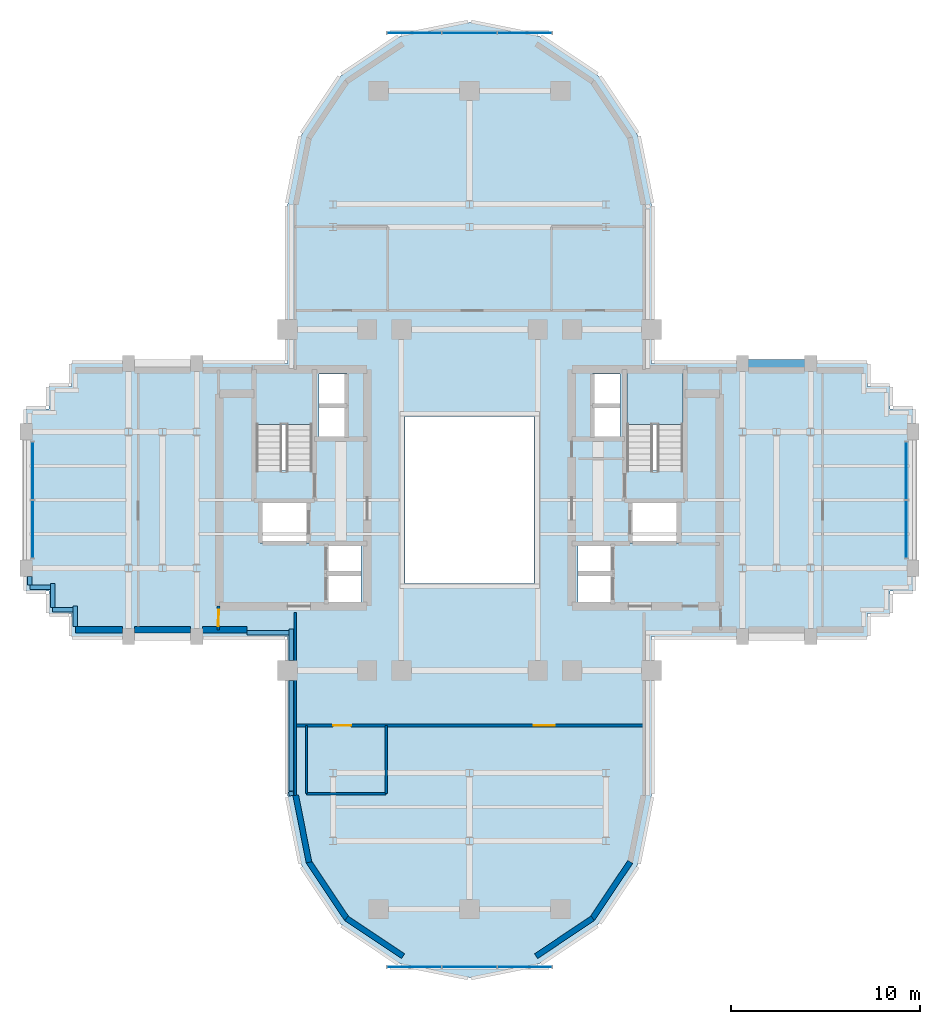
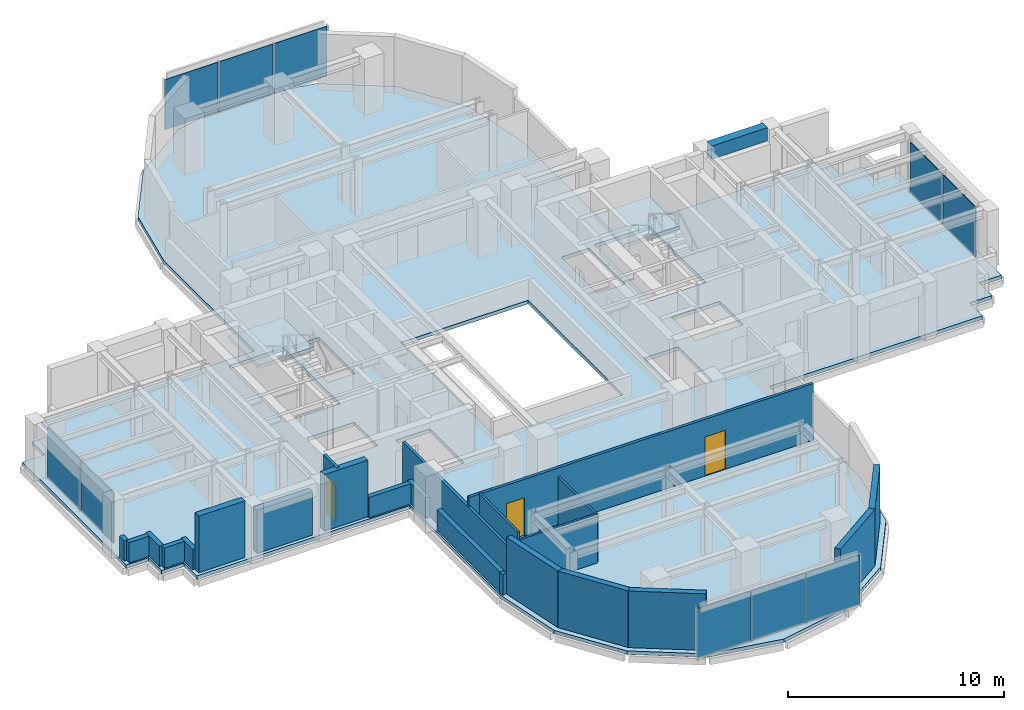
# One storey, part 7 of 13: 23 walls, 10 plates, 3 doors, 3 slabs, 1 beam, 3 openings, 6 elements without a shape of their own.
"""IFC4 building model written with IfcOpenShell, lengths in metres."""

from ifc_helpers import new_model, si_unit, direction, frame, frame_2d, origin, origin_2d, place, context, subcontext, project, spatial, polyline, rectangle, outline, extrude, source, transform, mapped, material, layer, layer_set, material_profile, profile_set, type_object, element, fill, aggregate, save


model = new_model("IFC4")

# Units and contexts
model_context = context("Model", 3, precision=1e-05, world=origin(), true_north=direction((0.0, 1.0)))
body_context = subcontext(model_context, "Body", "Model", "MODEL_VIEW")
ifc_project = project(units=[si_unit("LENGTHUNIT", "METRE"), si_unit("AREAUNIT", "SQUARE_METRE"), si_unit("VOLUMEUNIT", "CUBIC_METRE"), si_unit("PLANEANGLEUNIT", "RADIAN"), si_unit("MASSUNIT", "GRAM", prefix="KILO")], contexts=[model_context])

# Site, building, storey
site_placement = place(None, origin())
site = spatial("IfcSite", under=ifc_project, at=site_placement, CompositionType="ELEMENT")
building_placement = place(site_placement, origin())
building = spatial("IfcBuilding", under=site, at=building_placement, Name="Keilestroom Media Tower", CompositionType="ELEMENT")
storey_placement = place(building_placement, frame((0.0, 0.0, 138.0)))
storey = spatial("IfcBuildingStorey", under=building, at=storey_placement, Name="L37", CompositionType="ELEMENT", Elevation=138.0)

# Beam
ifc_material_1 = material(Name="Precast concrete C40/50", Category="concrete")
ifc_material_profile = material_profile(ifc_material_1, rectangle(XDim=0.449951171875, YDim=0.75, at=origin_2d()), Name="PC 450x750")
ifc_profile_set = profile_set([ifc_material_profile], Name="Precast concrete C40/50")
beam_type = type_object("IfcBeamType", Name="Perimeter-Spandrel-Beam-PC-450x750", PredefinedType="SPANDREL", material=ifc_profile_set)
shared_shape_1 = source(origin(), body_context, "Body", "SweptSolid", [
    extrude(rectangle(XDim=0.449951171875, YDim=0.75, at=origin_2d()), origin(), (0.0, 0.0, 1.0), 2.989990234375),
])
beam_placement = place(storey_placement, frame((14.705078125, 7.199951171875, 2.824951171875), z_axis=(1.0, 0.0, 0.0), x_axis=(0.0, 1.0, 0.0)))
element("IfcBeam", 1, at=beam_placement, inside=storey, type_object=beam_type, Name="L37 Beam SPB-1 BM-L37-EW-027", PredefinedType="SPANDREL", context=body_context, shape_type="MappedRepresentation", body=[
    mapped(shared_shape_1, transform((0.0, 0.0, 0.0), x_axis=(1.0, 0.0, 0.0), y_axis=(0.0, 1.0, 0.0), z_axis=(0.0, 0.0, 1.0), scale=1.0)),
])

# Slab
ifc_material_2 = material(Name="Concrete C50/60", Category="concrete")
ifc_layer_1 = layer(ifc_material_2, 0.199951171875)
ifc_layer_set_1 = layer_set([ifc_layer_1], Name="Concrete C50/60")
slab_type_1 = type_object("IfcSlabType", Name="Composite-Floor-Slab-200", PredefinedType="FLOOR", material=ifc_layer_set_1)
slab_1_placement = place(storey_placement, frame((0.0, 0.0, -0.199951171875)))
element("IfcSlab", 2, at=slab_1_placement, inside=storey, type_object=slab_type_1, Name="L37 Structural Composite Floor Slab", PredefinedType="FLOOR", context=body_context, shape_type="SweptSolid", body=[
    extrude(outline(polyline([(23.39990234375, -4.800048828125), (23.39990234375, 4.800048828125), (22.199951171875, 4.800048828125), (22.199951171875, 6.0), (21.0, 6.0), (21.0, 7.199951171875), (9.60009765625, 7.199951171875), (9.60009765625, 9.60009765625), (9.60009765625, 15.60009765625), (8.869140625, 19.273681640625), (6.7880859375, 22.38818359375), (3.673828125, 24.46923828125), (0.0, 25.199951171875), (-3.673828125, 24.46923828125), (-6.7880859375, 22.38818359375), (-8.869140625, 19.273681640625), (-9.60009765625, 15.60009765625), (-9.60009765625, 9.60009765625), (-9.60009765625, 7.199951171875), (-21.0, 7.199951171875), (-21.0, 6.0), (-22.199951171875, 6.0), (-22.199951171875, 4.800048828125), (-23.39990234375, 4.800048828125), (-23.39990234375, -4.800048828125), (-22.199951171875, -4.800048828125), (-22.199951171875, -6.0), (-21.0, -6.0), (-21.0, -7.199951171875), (-9.60009765625, -7.199951171875), (-9.60009765625, -9.60009765625), (-9.60009765625, -15.60009765625), (-8.869140625, -19.273681640625), (-6.7880859375, -22.38818359375), (-3.673828125, -24.46923828125), (0.0, -25.199951171875), (3.673828125, -24.46923828125), (6.7880859375, -22.38818359375), (8.869140625, -19.273681640625), (9.60009765625, -15.60009765625), (9.60009765625, -9.60009765625), (9.60009765625, -7.199951171875), (21.0, -7.199951171875), (21.0, -6.0), (22.199951171875, -6.0), (22.199951171875, -4.800048828125), (23.39990234375, -4.800048828125)]), holes=[polyline([(-11.260009765625, 1.544921875), (-11.260009765625, 6.760009765625), (-8.300048828125, 6.760009765625), (-8.300048828125, 1.544921875), (-11.260009765625, 1.544921875)]), polyline([(-11.050048828125, -2.280029296875), (-11.050048828125, -0.10009765625), (-8.47998046875, -0.10009765625), (-8.47998046875, -2.280029296875), (-11.050048828125, -2.280029296875)]), polyline([(-7.949951171875, 3.300048828125), (-7.949951171875, 6.64990234375), (-6.47998046875, 6.64990234375), (-6.47998046875, 3.300048828125), (-7.949951171875, 3.300048828125)]), polyline([(-7.56005859375, -2.320068359375), (-5.719970703125, -2.320068359375), (-5.719970703125, -5.47998046875), (-7.56005859375, -5.47998046875), (-7.56005859375, -2.320068359375)]), polyline([(3.39990234375, -4.39990234375), (-3.39990234375, -4.39990234375), (-3.39990234375, 4.39990234375), (3.39990234375, 4.39990234375), (3.39990234375, -4.39990234375)]), polyline([(7.56005859375, -2.320068359375), (7.56005859375, -5.47998046875), (5.719970703125, -5.47998046875), (5.719970703125, -2.320068359375), (7.56005859375, -2.320068359375)]), polyline([(6.47998046875, 3.300048828125), (6.47998046875, 6.64990234375), (7.949951171875, 6.64990234375), (7.949951171875, 3.300048828125), (6.47998046875, 3.300048828125)]), polyline([(8.300048828125, 1.544921875), (8.300048828125, 6.760009765625), (11.260009765625, 6.760009765625), (11.260009765625, 1.544921875), (8.300048828125, 1.544921875)]), polyline([(8.47998046875, -2.280029296875), (8.47998046875, -0.10009765625), (11.050048828125, -0.10009765625), (11.050048828125, -2.280029296875), (8.47998046875, -2.280029296875)])]), origin(), (0.0, 0.0, 1.0), 0.199951171875),
])

# Stair, slab
ifc_material_3 = material(Name="Concrete C45/55", Category="concrete")
stair_type = type_object("IfcStairType", Name="Enclosed-Dog-Leg-Stair-ST-CORE", PredefinedType="HALF_TURN_STAIR", material=ifc_material_3)
stair_1_placement = place(storey_placement, origin())
stair_1 = element("IfcStair", 3, at=stair_1_placement, inside=storey, type_object=stair_type, Name="L37 West Core Escape Stair ST-1", PredefinedType="HALF_TURN_STAIR")
ifc_layer_2 = layer(ifc_material_3, 0.199951171875)
ifc_layer_set_2 = layer_set([ifc_layer_2], Name="Concrete C45/55")
slab_type_2 = type_object("IfcSlabType", Name="Stair-Intermediate-And-Top-Landing-Slab-200", PredefinedType="LANDING", material=ifc_layer_set_2)
slab_2_placement = place(storey_placement, frame((0.0, 0.0, 1.5)))
slab_2 = element("IfcSlab", 4, at=slab_2_placement, type_object=slab_type_2, Name="ST-1 landing 1", PredefinedType="LANDING", context=body_context, shape_type="SweptSolid", body=[
    extrude(outline(polyline([(-8.300048828125, 3.99609375), (-8.300048828125, 6.760009765625), (-11.260009765625, 6.760009765625), (-11.260009765625, 3.99609375), (-8.300048828125, 3.99609375)])), origin(), (0.0, 0.0, 1.0), 0.199951171875),
])
aggregate(stair_1, [slab_2])

stair_2_placement = place(storey_placement, origin())
stair_2 = element("IfcStair", 5, at=stair_2_placement, inside=storey, type_object=stair_type, Name="L37 East Core Escape Stair ST-2", PredefinedType="HALF_TURN_STAIR")
slab_3_placement = place(storey_placement, frame((0.0, 0.0, 1.5)))
slab_3 = element("IfcSlab", 6, at=slab_3_placement, type_object=slab_type_2, Name="ST-2 landing 1", PredefinedType="LANDING", context=body_context, shape_type="SweptSolid", body=[
    extrude(outline(polyline([(11.260009765625, 3.99609375), (11.260009765625, 6.760009765625), (8.300048828125, 6.760009765625), (8.300048828125, 3.99609375), (11.260009765625, 3.99609375)])), origin(), (0.0, 0.0, 1.0), 0.199951171875),
])
aggregate(stair_2, [slab_3])

# Curtain wall, plates
ifc_material_4 = material(Name="Anodised Aluminium Alloy", Category="aluminium")
curtain_wall_type_1 = type_object("IfcCurtainWallType", Name="Unitised-Curtain-Wall-CW-6", PredefinedType="NOTDEFINED", material=ifc_material_4)
curtain_wall_1_placement = place(storey_placement, origin())
curtain_wall_1 = element("IfcCurtainWall", 7, at=curtain_wall_1_placement, inside=storey, type_object=curtain_wall_type_1, Name="L37 Curtain Wall CW-6 CW-L37-LN-1", PredefinedType="NOTDEFINED")
ifc_material_5 = material(Name="Curved-Facet Triple Glazed Unit", Category="glass")
ifc_layer_3 = layer(ifc_material_5, 0.033935546875)
ifc_layer_set_3 = layer_set([ifc_layer_3], Name="Curved-Facet Triple Glazed Unit")
plate_type_1 = type_object("IfcPlateType", Name="Insulated-Curtain-Wall-Glazing-Panel-CW-6", PredefinedType="CURTAIN_PANEL", material=ifc_layer_set_3)
shared_shape_2 = source(origin(), body_context, "Body", "SweptSolid", [
    extrude(rectangle(XDim=2.84375, YDim=0.033935546875, at=origin_2d()), origin(), (0.0, 0.0, 1.0), 2.833984375),
])
plate_1_placement = place(storey_placement, frame((-2.9169921875, 24.64990234375, 0.072998046875), z_axis=(0.0, 0.0, 1.0), x_axis=(1.0, 0.0, 0.0)))
plate_1 = element("IfcPlate", 8, at=plate_1_placement, type_object=plate_type_1, Name="CW-6 Unitised Glazing 00", PredefinedType="CURTAIN_PANEL", context=body_context, shape_type="MappedRepresentation", body=[
    mapped(shared_shape_2, transform((0.0, 0.0, 0.0), x_axis=(1.0, 0.0, 0.0), y_axis=(0.0, 1.0, 0.0), z_axis=(0.0, 0.0, 1.0), scale=1.0)),
])
plate_2_placement = place(storey_placement, frame((2.9169921875, 24.64990234375, 0.072998046875), z_axis=(0.0, 0.0, 1.0), x_axis=(1.0, 0.0, 0.0)))
plate_2 = element("IfcPlate", 9, at=plate_2_placement, type_object=plate_type_1, Name="CW-6 Unitised Glazing 02", PredefinedType="CURTAIN_PANEL", context=body_context, shape_type="MappedRepresentation", body=[
    mapped(shared_shape_2, transform((0.0, 0.0, 0.0), x_axis=(1.0, 0.0, 0.0), y_axis=(0.0, 1.0, 0.0), z_axis=(0.0, 0.0, 1.0), scale=1.0)),
])

curtain_wall_2_placement = place(storey_placement, origin())
curtain_wall_2 = element("IfcCurtainWall", 10, at=curtain_wall_2_placement, inside=storey, type_object=curtain_wall_type_1, Name="L37 Curtain Wall CW-6 CW-L37-LS-1", PredefinedType="NOTDEFINED")
plate_3_placement = place(storey_placement, frame((-2.9169921875, -24.64990234375, 0.072998046875), z_axis=(0.0, 0.0, 1.0), x_axis=(1.0, 0.0, 0.0)))
plate_3 = element("IfcPlate", 11, at=plate_3_placement, type_object=plate_type_1, Name="CW-6 Unitised Glazing 00", PredefinedType="CURTAIN_PANEL", context=body_context, shape_type="MappedRepresentation", body=[
    mapped(shared_shape_2, transform((0.0, 0.0, 0.0), x_axis=(1.0, 0.0, 0.0), y_axis=(0.0, 1.0, 0.0), z_axis=(0.0, 0.0, 1.0), scale=1.0)),
])
plate_4_placement = place(storey_placement, frame((2.9169921875, -24.64990234375, 0.072998046875), z_axis=(0.0, 0.0, 1.0), x_axis=(1.0, 0.0, 0.0)))
plate_4 = element("IfcPlate", 12, at=plate_4_placement, type_object=plate_type_1, Name="CW-6 Unitised Glazing 02", PredefinedType="CURTAIN_PANEL", context=body_context, shape_type="MappedRepresentation", body=[
    mapped(shared_shape_2, transform((0.0, 0.0, 0.0), x_axis=(1.0, 0.0, 0.0), y_axis=(0.0, 1.0, 0.0), z_axis=(0.0, 0.0, 1.0), scale=1.0)),
])

# Plate
shared_shape_3 = source(origin(), body_context, "Body", "SweptSolid", [
    extrude(rectangle(XDim=2.876220703125, YDim=0.033935546875, at=origin_2d()), origin(), (0.0, 0.0, 1.0), 2.833984375),
])
plate_5_placement = place(storey_placement, frame((0.0, 24.64990234375, 0.072998046875), z_axis=(0.0, 0.0, 1.0), x_axis=(1.0, 0.0, 0.0)))
plate_5 = element("IfcPlate", 13, at=plate_5_placement, type_object=plate_type_1, Name="CW-6 Unitised Glazing 01", PredefinedType="CURTAIN_PANEL", context=body_context, shape_type="MappedRepresentation", body=[
    mapped(shared_shape_3, transform((0.0, 0.0, 0.0), x_axis=(1.0, 0.0, 0.0), y_axis=(0.0, 1.0, 0.0), z_axis=(0.0, 0.0, 1.0), scale=1.0)),
])

aggregate(curtain_wall_1, [plate_1, plate_5, plate_2])

plate_6_placement = place(storey_placement, frame((0.0, -24.64990234375, 0.072998046875), z_axis=(0.0, 0.0, 1.0), x_axis=(1.0, 0.0, 0.0)))
plate_6 = element("IfcPlate", 14, at=plate_6_placement, type_object=plate_type_1, Name="CW-6 Unitised Glazing 01", PredefinedType="CURTAIN_PANEL", context=body_context, shape_type="MappedRepresentation", body=[
    mapped(shared_shape_3, transform((0.0, 0.0, 0.0), x_axis=(1.0, 0.0, 0.0), y_axis=(0.0, 1.0, 0.0), z_axis=(0.0, 0.0, 1.0), scale=1.0)),
])

aggregate(curtain_wall_2, [plate_3, plate_6, plate_4])

# Curtain wall, plates
curtain_wall_type_2 = type_object("IfcCurtainWallType", Name="Unitised-Curtain-Wall-CW-2", PredefinedType="NOTDEFINED", material=ifc_material_4)
curtain_wall_3_placement = place(storey_placement, origin())
curtain_wall_3 = element("IfcCurtainWall", 15, at=curtain_wall_3_placement, inside=storey, type_object=curtain_wall_type_2, Name="L37 Curtain Wall CW-2 CW-L37-W-1", PredefinedType="NOTDEFINED")
ifc_material_6 = material(Name="Double Glazed Low-E Unit", Category="glass")
ifc_layer_4 = layer(ifc_material_6, 0.0419921875)
ifc_layer_set_4 = layer_set([ifc_layer_4], Name="Double Glazed Low-E Unit")
plate_type_2 = type_object("IfcPlateType", Name="Insulated-Curtain-Wall-Glazing-Panel-CW-2", PredefinedType="CURTAIN_PANEL", material=ifc_layer_set_4)
shared_shape_4 = source(origin(), body_context, "Body", "SweptSolid", [
    extrude(rectangle(XDim=3.01806640625, YDim=0.0419921875, at=origin_2d()), origin(), (0.0, 0.0, 1.0), 2.833984375),
])
plate_7_placement = place(storey_placement, frame((-23.050048828125, -1.5400390625, 0.072998046875), z_axis=(0.0, 0.0, 1.0), x_axis=(0.0, 1.0, 0.0)))
plate_7 = element("IfcPlate", 16, at=plate_7_placement, type_object=plate_type_2, Name="CW-2 Unitised Glazing 00", PredefinedType="CURTAIN_PANEL", context=body_context, shape_type="MappedRepresentation", body=[
    mapped(shared_shape_4, transform((0.0, 0.0, 0.0), x_axis=(1.0, 0.0, 0.0), y_axis=(0.0, 1.0, 0.0), z_axis=(0.0, 0.0, 1.0), scale=1.0)),
])
plate_8_placement = place(storey_placement, frame((-23.050048828125, 1.5400390625, 0.072998046875), z_axis=(0.0, 0.0, 1.0), x_axis=(0.0, 1.0, 0.0)))
plate_8 = element("IfcPlate", 17, at=plate_8_placement, type_object=plate_type_2, Name="CW-2 Unitised Glazing 01", PredefinedType="CURTAIN_PANEL", context=body_context, shape_type="MappedRepresentation", body=[
    mapped(shared_shape_4, transform((0.0, 0.0, 0.0), x_axis=(1.0, 0.0, 0.0), y_axis=(0.0, 1.0, 0.0), z_axis=(0.0, 0.0, 1.0), scale=1.0)),
])
aggregate(curtain_wall_3, [plate_7, plate_8])

curtain_wall_4_placement = place(storey_placement, origin())
curtain_wall_4 = element("IfcCurtainWall", 18, at=curtain_wall_4_placement, inside=storey, type_object=curtain_wall_type_2, Name="L37 Curtain Wall CW-2 CW-L37-E-1", PredefinedType="NOTDEFINED")
plate_9_placement = place(storey_placement, frame((23.050048828125, -1.5400390625, 0.072998046875), z_axis=(0.0, 0.0, 1.0), x_axis=(0.0, 1.0, 0.0)))
plate_9 = element("IfcPlate", 19, at=plate_9_placement, type_object=plate_type_2, Name="CW-2 Unitised Glazing 00", PredefinedType="CURTAIN_PANEL", context=body_context, shape_type="MappedRepresentation", body=[
    mapped(shared_shape_4, transform((0.0, 0.0, 0.0), x_axis=(1.0, 0.0, 0.0), y_axis=(0.0, 1.0, 0.0), z_axis=(0.0, 0.0, 1.0), scale=1.0)),
])
plate_10_placement = place(storey_placement, frame((23.050048828125, 1.5400390625, 0.072998046875), z_axis=(0.0, 0.0, 1.0), x_axis=(0.0, 1.0, 0.0)))
plate_10 = element("IfcPlate", 20, at=plate_10_placement, type_object=plate_type_2, Name="CW-2 Unitised Glazing 01", PredefinedType="CURTAIN_PANEL", context=body_context, shape_type="MappedRepresentation", body=[
    mapped(shared_shape_4, transform((0.0, 0.0, 0.0), x_axis=(1.0, 0.0, 0.0), y_axis=(0.0, 1.0, 0.0), z_axis=(0.0, 0.0, 1.0), scale=1.0)),
])
aggregate(curtain_wall_4, [plate_9, plate_10])

# Walls
ifc_layer_5 = layer(ifc_material_1, 0.300048828125)
ifc_layer_set_5 = layer_set([ifc_layer_5], Name="Precast concrete C40/50")
wall_type_1 = type_object("IfcWallType", Name="Exterior-Masonry-Spandrel-Wall-300", PredefinedType="SOLIDWALL", material=ifc_layer_set_5)
for number, where, z_axis, x_axis, name in (
    (21, (-9.1748046875, -15.585205078125, 0.0), (0.0, 0.0, 1.0), (0.195114232679, -0.980780523974, 0.0), "L37 Lobe Facet Precast Frame Wall 07"),
    (22, (-8.48193359375, -19.097412109375, 0.0), (0.0, 0.0, 1.0), (0.555574187116, -0.831466970246, 0.0), "L37 Lobe Facet Precast Frame Wall 08"),
):
    element("IfcWall", number, at=place(storey_placement, frame(where, z_axis=z_axis, x_axis=x_axis)), inside=storey, type_object=wall_type_1, Name=name, PredefinedType="SOLIDWALL", context=body_context, shape_type="SweptSolid", body=[
        extrude(rectangle(XDim=3.608642578125, YDim=0.300048828125, at=frame_2d((1.80419921875, 0.0))), origin(), (0.0, 0.0, 1.0), 3.199951171875),
    ])
for number, where, z_axis, x_axis, name in (
    (23, (-6.497802734375, -22.0771484375, 0.0), (0.0, 0.0, 1.0), (0.8314749531, -0.555562239868, 0.0), "L37 Lobe Facet Precast Frame Wall 09"),
    (24, (3.510009765625, -24.073486328125, 0.0), (0.0, 0.0, 1.0), (0.8314749531, 0.555562239868, 0.0), "L37 Lobe Facet Precast Frame Wall 10"),
):
    element("IfcWall", number, at=place(storey_placement, frame(where, z_axis=z_axis, x_axis=x_axis)), inside=storey, type_object=wall_type_1, Name=name, PredefinedType="SOLIDWALL", context=body_context, shape_type="SweptSolid", body=[
        extrude(rectangle(XDim=3.59326171875, YDim=0.300048828125, at=frame_2d((1.796630859375, 0.0))), origin(), (0.0, 0.0, 1.0), 3.199951171875),
    ])
wall_1_placement = place(storey_placement, frame((6.47705078125, -22.097900390625, 0.0), z_axis=(0.0, 0.0, 1.0), x_axis=(0.555574187116, 0.831466970246, 0.0)))
element("IfcWall", 25, at=wall_1_placement, inside=storey, type_object=wall_type_1, Name="L37 Lobe Facet Precast Frame Wall 11", PredefinedType="SOLIDWALL", context=body_context, shape_type="SweptSolid", body=[
    extrude(rectangle(XDim=3.608642578125, YDim=0.300048828125, at=frame_2d((1.80419921875, 0.0))), origin(), (0.0, 0.0, 1.0), 3.199951171875),
])
ifc_layer_6 = layer(ifc_material_1, 0.340087890625)
ifc_layer_set_6 = layer_set([ifc_layer_6], Name="Precast concrete C40/50")
wall_type_2 = type_object("IfcWallType", Name="Exterior-Masonry-Spandrel-Wall-340", PredefinedType="SOLIDWALL", material=ifc_layer_set_6)
wall_2_placement = place(storey_placement, frame((-20.800048828125, -6.85009765625, 0.0), z_axis=(0.0, 0.0, 1.0), x_axis=(1.0, 0.0, 0.0)))
element("IfcWall", 26, at=wall_2_placement, inside=storey, type_object=wall_type_2, Name="L37 Flank Masonry Wall EWL-L37-SW-1", PredefinedType="SOLIDWALL", context=body_context, shape_type="SweptSolid", body=[
    extrude(rectangle(XDim=2.483154296875, YDim=0.340087890625, at=frame_2d((1.24169921875, 0.0))), origin(), (0.0, 0.0, 1.0), 3.199951171875),
])
wall_3_placement = place(storey_placement, frame((-17.68310546875, -6.85009765625, 0.0), z_axis=(0.0, 0.0, 1.0), x_axis=(1.0, 0.0, 0.0)))
element("IfcWall", 27, at=wall_3_placement, inside=storey, type_object=wall_type_2, Name="L37 Flank Masonry Wall EWL-L37-SW-2", PredefinedType="SOLIDWALL", context=body_context, shape_type="SweptSolid", body=[
    extrude(rectangle(XDim=2.966064453125, YDim=0.340087890625, at=frame_2d((1.48291015625, 0.0))), origin(), (0.0, 0.0, 1.0), 2.449951171875),
])
wall_4_placement = place(storey_placement, frame((-14.0830078125, -6.85009765625, 0.0), z_axis=(0.0, 0.0, 1.0), x_axis=(1.0, 0.0, 0.0)))
element("IfcWall", 28, at=wall_4_placement, inside=storey, type_object=wall_type_2, Name="L37 Flank Masonry Wall EWL-L37-SW-3", PredefinedType="SOLIDWALL", context=body_context, shape_type="SweptSolid", body=[
    extrude(rectangle(XDim=2.3330078125, YDim=0.340087890625, at=frame_2d((1.16650390625, 0.0))), origin(), (0.0, 0.0, 1.0), 3.199951171875),
])
ifc_material_7 = material(Name="Gypsum Plasterboard & Steel Stud", Category="steel")
ifc_layer_7 = layer(ifc_material_7, 0.1201171875)
ifc_layer_set_7 = layer_set([ifc_layer_7], Name="Gypsum Plasterboard & Steel Stud")
wall_type_3 = type_object("IfcWallType", Name="Interior-Partition-Wall-120", PredefinedType="PARTITIONING", material=ifc_layer_set_7)
wall_5_placement = place(storey_placement, frame((-8.60009765625, -15.5, 0.0), z_axis=(0.0, 0.0, 1.0), x_axis=(1.0, 0.0, 0.0)))
element("IfcWall", 29, at=wall_5_placement, inside=storey, type_object=wall_type_3, Name="L37 Interior Wall WP-L37-SL-WC4-S", PredefinedType="PARTITIONING", context=body_context, shape_type="SweptSolid", body=[
    extrude(rectangle(XDim=4.2001953125, YDim=0.1201171875, at=frame_2d((2.10009765625, 0.0))), origin(), (0.0, 0.0, 1.0), 2.760009765625),
])
wall_6_placement = place(storey_placement, frame((-8.60009765625, -15.5, 0.0), z_axis=(0.0, 0.0, 1.0), x_axis=(0.0, 1.0, 0.0)))
element("IfcWall", 30, at=wall_6_placement, inside=storey, type_object=wall_type_3, Name="L37 Interior Wall WP-L37-SL-WC4-W", PredefinedType="PARTITIONING", context=body_context, shape_type="SweptSolid", body=[
    extrude(rectangle(XDim=3.60009765625, YDim=0.1201171875, at=frame_2d((1.800048828125, 0.0))), origin(), (0.0, 0.0, 1.0), 3.199951171875),
])
wall_7_placement = place(storey_placement, frame((-4.39990234375, -15.5, 0.0), z_axis=(0.0, 0.0, 1.0), x_axis=(0.0, 1.0, 0.0)))
element("IfcWall", 31, at=wall_7_placement, inside=storey, type_object=wall_type_3, Name="L37 Interior Wall WP-L37-SL-WC4-E", PredefinedType="PARTITIONING", context=body_context, shape_type="SweptSolid", body=[
    extrude(rectangle(XDim=3.60009765625, YDim=0.1201171875, at=frame_2d((1.800048828125, 0.0))), origin(), (0.0, 0.0, 1.0), 2.699951171875),
])

# Wall, openings, doors
ifc_layer_8 = layer(ifc_material_7, 0.14990234375)
ifc_layer_set_8 = layer_set([ifc_layer_8], Name="Gypsum Plasterboard & Steel Stud")
wall_type_4 = type_object("IfcWallType", Name="Interior-Partition-Wall-150", PredefinedType="PARTITIONING", material=ifc_layer_set_8)
wall_8_placement = place(storey_placement, frame((-9.199951171875, -11.89990234375, 0.0), z_axis=(0.0, 0.0, 1.0), x_axis=(1.0, 0.0, 0.0)))
wall_8 = element("IfcWall", 32, at=wall_8_placement, inside=storey, type_object=wall_type_4, Name="L37 Interior Wall WP-L37-SL-BASE", PredefinedType="PARTITIONING", context=body_context, shape_type="SweptSolid", body=[
    extrude(rectangle(XDim=18.39990234375, YDim=0.14990234375, at=frame_2d((9.199951171875, 0.0))), origin(), (0.0, 0.0, 1.0), 3.199951171875),
])
opening_1_placement = place(wall_8_placement, frame((2.0, 0.0, 0.0)))
opening_1 = element("IfcOpeningElement", 33, at=opening_1_placement, cuts=wall_8, Name="Opening DI-03", PredefinedType="OPENING", context=body_context, shape_type="SweptSolid", body=[
    extrude(rectangle(XDim=0.949951171875, YDim=2.14990234375, at=frame_2d((0.47509765625, 1.074951171875))), frame((0.0, 0.0849609375, 0.0), z_axis=(0.0, -1.0, 0.0), x_axis=(1.0, 0.0, 0.0)), (0.0, 0.0, 1.0), 0.169921875),
])
opening_2_placement = place(wall_8_placement, frame((12.60009765625, 0.0, 0.0)))
opening_2 = element("IfcOpeningElement", 34, at=opening_2_placement, cuts=wall_8, Name="Opening DI-04", PredefinedType="OPENING", context=body_context, shape_type="SweptSolid", body=[
    extrude(rectangle(XDim=1.10009765625, YDim=2.199951171875, at=frame_2d((0.550048828125, 1.10009765625))), frame((0.0, 0.0849609375, 0.0), z_axis=(0.0, -1.0, 0.0), x_axis=(1.0, 0.0, 0.0)), (0.0, 0.0, 1.0), 0.169921875),
])
ifc_material_8 = material(Name="Lacquered European Oak Leaf", Category="wood")
door_type_1 = type_object("IfcDoorType", Name="Interior-Room-And-Suite-Door-DI-03", OperationType="NOTDEFINED", PredefinedType="DOOR", material=ifc_material_8)
shared_shape_5 = source(origin(), body_context, "Body", "SweptSolid", [
    extrude(rectangle(XDim=0.949951171875, YDim=2.14990234375, at=frame_2d((0.47509765625, 1.074951171875))), frame((0.0, 0.02490234375, 0.0), z_axis=(0.0, -1.0, 0.0), x_axis=(1.0, 0.0, 0.0)), (0.0, 0.0, 1.0), 0.050048828125),
])
door_1_placement = place(opening_1_placement, origin())
door_1 = element("IfcDoor", 35, at=door_1_placement, inside=storey, type_object=door_type_1, Name="L37 Interior Door DI-L37-DSL-WC4", OperationType="SINGLE_SWING_RIGHT", OverallHeight=2.14990234375, OverallWidth=0.949951171875, PredefinedType="DOOR", context=body_context, shape_type="MappedRepresentation", body=[
    mapped(shared_shape_5, transform((0.0, 0.0, 0.0), x_axis=(1.0, 0.0, 0.0), y_axis=(0.0, 1.0, 0.0), z_axis=(0.0, 0.0, 1.0), scale=1.0)),
])
fill(opening_1, door_1)
ifc_material_9 = material(Name="Acoustic Glazed Aluminium Leaf", Category="aluminium")
door_type_2 = type_object("IfcDoorType", Name="Interior-Room-And-Suite-Door-DI-04", OperationType="NOTDEFINED", PredefinedType="DOOR", material=ifc_material_9)
shared_shape_6 = source(origin(), body_context, "Body", "SweptSolid", [
    extrude(rectangle(XDim=1.10009765625, YDim=2.199951171875, at=frame_2d((0.550048828125, 1.10009765625))), frame((0.0, 0.02490234375, 0.0), z_axis=(0.0, -1.0, 0.0), x_axis=(1.0, 0.0, 0.0)), (0.0, 0.0, 1.0), 0.050048828125),
])
door_2_placement = place(opening_2_placement, origin())
door_2 = element("IfcDoor", 36, at=door_2_placement, inside=storey, type_object=door_type_2, Name="L37 Interior Door DI-L37-DSL-RR", OperationType="SINGLE_SWING_LEFT", OverallHeight=2.199951171875, OverallWidth=1.10009765625, PredefinedType="DOOR", context=body_context, shape_type="MappedRepresentation", body=[
    mapped(shared_shape_6, transform((0.0, 0.0, 0.0), x_axis=(1.0, 0.0, 0.0), y_axis=(0.0, 1.0, 0.0), z_axis=(0.0, 0.0, 1.0), scale=1.0)),
])
fill(opening_2, door_2)

# Wall
wall_9_placement = place(storey_placement, frame((-9.199951171875, -15.679931640625, 0.0), z_axis=(0.0, 0.0, 1.0), x_axis=(0.0, 1.0, 0.0)))
element("IfcWall", 37, at=wall_9_placement, inside=storey, type_object=wall_type_4, Name="L37 Interior Wall WP-L37-SL-CHKW", PredefinedType="PARTITIONING", context=body_context, shape_type="SweptSolid", body=[
    extrude(rectangle(XDim=9.739990234375, YDim=0.14990234375, at=frame_2d((4.8701171875, 0.0))), origin(), (0.0, 0.0, 1.0), 2.699951171875),
])

# Wall, opening, door
wall_10_placement = place(storey_placement, frame((-13.260009765625, -6.85009765625, 0.0), z_axis=(0.0, 0.0, 1.0), x_axis=(0.016013571389, 0.999871774545, 0.0)))
wall_10 = element("IfcWall", 38, at=wall_10_placement, inside=storey, type_object=wall_type_4, Name="L37 Interior Wall WP-L37-WA-ENTS", PredefinedType="PARTITIONING", context=body_context, shape_type="SweptSolid", body=[
    extrude(rectangle(XDim=1.250244140625, YDim=0.14990234375, at=frame_2d((0.625, 0.0))), origin(), (0.0, 0.0, 1.0), 3.199951171875),
])
opening_3_placement = place(wall_10_placement, frame((0.199951171875, 0.0, 0.0)))
opening_3 = element("IfcOpeningElement", 39, at=opening_3_placement, cuts=wall_10, Name="Opening DI-05", PredefinedType="OPENING", context=body_context, shape_type="SweptSolid", body=[
    extrude(rectangle(XDim=0.85009765625, YDim=2.10009765625, at=frame_2d((0.425048828125, 1.050048828125))), frame((0.0, 0.0849609375, 0.0), z_axis=(0.0, -1.0, 0.0), x_axis=(1.0, 0.0, 0.0)), (0.0, 0.0, 1.0), 0.169921875),
])
ifc_material_10 = material(Name="Moisture-Resistant Oak Leaf", Category="wood")
door_type_3 = type_object("IfcDoorType", Name="Interior-En-Suite-And-Cupboard-Door-DI-05", OperationType="NOTDEFINED", PredefinedType="DOOR", material=ifc_material_10)
shared_shape_7 = source(origin(), body_context, "Body", "SweptSolid", [
    extrude(rectangle(XDim=0.85009765625, YDim=2.10009765625, at=frame_2d((0.425048828125, 1.050048828125))), frame((0.0, 0.02490234375, 0.0), z_axis=(0.0, -1.0, 0.0), x_axis=(1.0, 0.0, 0.0)), (0.0, 0.0, 1.0), 0.050048828125),
])
door_3_placement = place(opening_3_placement, origin())
door_3 = element("IfcDoor", 40, at=door_3_placement, inside=storey, type_object=door_type_3, Name="L37 Interior Door DI-L37-DWA-E", OperationType="SINGLE_SWING_RIGHT", OverallHeight=2.10009765625, OverallWidth=0.85009765625, PredefinedType="DOOR", context=body_context, shape_type="MappedRepresentation", body=[
    mapped(shared_shape_7, transform((0.0, 0.0, 0.0), x_axis=(1.0, 0.0, 0.0), y_axis=(0.0, 1.0, 0.0), z_axis=(0.0, 0.0, 1.0), scale=1.0)),
])
fill(opening_3, door_3)

# Walls
ifc_layer_9 = layer(ifc_material_1, 0.239990234375)
ifc_layer_set_9 = layer_set([ifc_layer_9], Name="Precast concrete C40/50")
wall_type_5 = type_object("IfcWallType", Name="Roof-And-Terrace-Parapet-Wall-240", PredefinedType="PARAPET", material=ifc_layer_set_9)
wall_11_placement = place(storey_placement, frame((-9.395263671875, -15.604248046875, 0.0), z_axis=(0.0, 0.0, 1.0), x_axis=(-0.194652052864, 0.980872355771, 0.0)))
element("IfcWall", 41, at=wall_11_placement, inside=storey, type_object=wall_type_5, Name="L37 Perimeter Edge Parapet Wall 08", PredefinedType="PARAPET", context=body_context, shape_type="SweptSolid", body=[
    extrude(rectangle(XDim=0.224609375, YDim=0.239990234375, at=frame_2d((0.1123046875, 0.0))), origin(), (0.0, 0.0, 1.0), 1.14990234375),
])
wall_12_placement = place(storey_placement, frame((-9.39990234375, -15.357666015625, 0.0), z_axis=(0.0, 0.0, 1.0), x_axis=(0.0, 1.0, 0.0)))
element("IfcWall", 42, at=wall_12_placement, inside=storey, type_object=wall_type_5, Name="L37 Perimeter Edge Parapet Wall 09", PredefinedType="PARAPET", context=body_context, shape_type="SweptSolid", body=[
    extrude(rectangle(XDim=5.82958984375, YDim=0.239990234375, at=frame_2d((2.914794921875, 0.0))), origin(), (0.0, 0.0, 1.0), 1.14990234375),
])
wall_13_placement = place(storey_placement, frame((-9.39990234375, -8.471923828125, 0.0), z_axis=(0.0, 0.0, 1.0), x_axis=(0.0, 1.0, 0.0)))
element("IfcWall", 43, at=wall_13_placement, inside=storey, type_object=wall_type_5, Name="L37 Perimeter Edge Parapet Wall 10", PredefinedType="PARAPET", context=body_context, shape_type="SweptSolid", body=[
    extrude(rectangle(XDim=1.671875, YDim=0.239990234375, at=frame_2d((0.8359375, 0.0))), origin(), (0.0, 0.0, 1.0), 1.14990234375),
])
wall_14_placement = place(storey_placement, frame((-9.52294921875, -7.0, 0.0), z_axis=(0.0, 0.0, 1.0), x_axis=(-1.0, 0.0, 0.0)))
element("IfcWall", 44, at=wall_14_placement, inside=storey, type_object=wall_type_5, Name="L37 Perimeter Edge Parapet Wall 11", PredefinedType="PARAPET", context=body_context, shape_type="SweptSolid", body=[
    extrude(rectangle(XDim=2.22412109375, YDim=0.239990234375, at=frame_2d((1.112060546875, 0.0))), origin(), (0.0, 0.0, 1.0), 1.14990234375),
])
for number, where, z_axis, x_axis, name in (
    (45, (-20.800048828125, -6.677001953125, 0.0), (0.0, 0.0, 1.0), (0.0, 1.0, 0.0), "L37 Perimeter Edge Parapet Wall 12"),
    (46, (-20.923095703125, -5.800048828125, 0.0), (0.0, 0.0, 1.0), (-1.0, 0.0, 0.0), "L37 Perimeter Edge Parapet Wall 13"),
):
    element("IfcWall", number, at=place(storey_placement, frame(where, z_axis=z_axis, x_axis=x_axis)), inside=storey, type_object=wall_type_5, Name=name, PredefinedType="PARAPET", context=body_context, shape_type="SweptSolid", body=[
        extrude(rectangle(XDim=1.076904296875, YDim=0.239990234375, at=frame_2d((0.53857421875, 0.0))), origin(), (0.0, 0.0, 1.0), 1.14990234375),
    ])
wall_15_placement = place(storey_placement, frame((-22.0, -5.677001953125, 0.0), z_axis=(0.0, 0.0, 1.0), x_axis=(0.0, 1.0, 0.0)))
element("IfcWall", 47, at=wall_15_placement, inside=storey, type_object=wall_type_5, Name="L37 Perimeter Edge Parapet Wall 14", PredefinedType="PARAPET", context=body_context, shape_type="SweptSolid", body=[
    extrude(rectangle(XDim=1.277099609375, YDim=0.239990234375, at=frame_2d((0.638671875, 0.0))), origin(), (0.0, 0.0, 1.0), 1.14990234375),
])
wall_16_placement = place(storey_placement, frame((-22.123046875, -4.60009765625, 0.0), z_axis=(0.0, 0.0, 1.0), x_axis=(-1.0, 0.0, 0.0)))
element("IfcWall", 48, at=wall_16_placement, inside=storey, type_object=wall_type_5, Name="L37 Perimeter Edge Parapet Wall 15", PredefinedType="PARAPET", context=body_context, shape_type="SweptSolid", body=[
    extrude(rectangle(XDim=1.076904296875, YDim=0.239990234375, at=frame_2d((0.53857421875, 0.0))), origin(), (0.0, 0.0, 1.0), 1.14990234375),
])
wall_17_placement = place(storey_placement, frame((-23.199951171875, -4.47705078125, 0.0), z_axis=(0.0, 0.0, 1.0), x_axis=(0.0, 1.0, 0.0)))
element("IfcWall", 49, at=wall_17_placement, inside=storey, type_object=wall_type_5, Name="L37 Perimeter Edge Parapet Wall 16", PredefinedType="PARAPET", context=body_context, shape_type="SweptSolid", body=[
    extrude(rectangle(XDim=0.448974609375, YDim=0.239990234375, at=frame_2d((0.224609375, 0.0))), origin(), (0.0, 0.0, 1.0), 1.14990234375),
])

save(model, "model.ifc")
